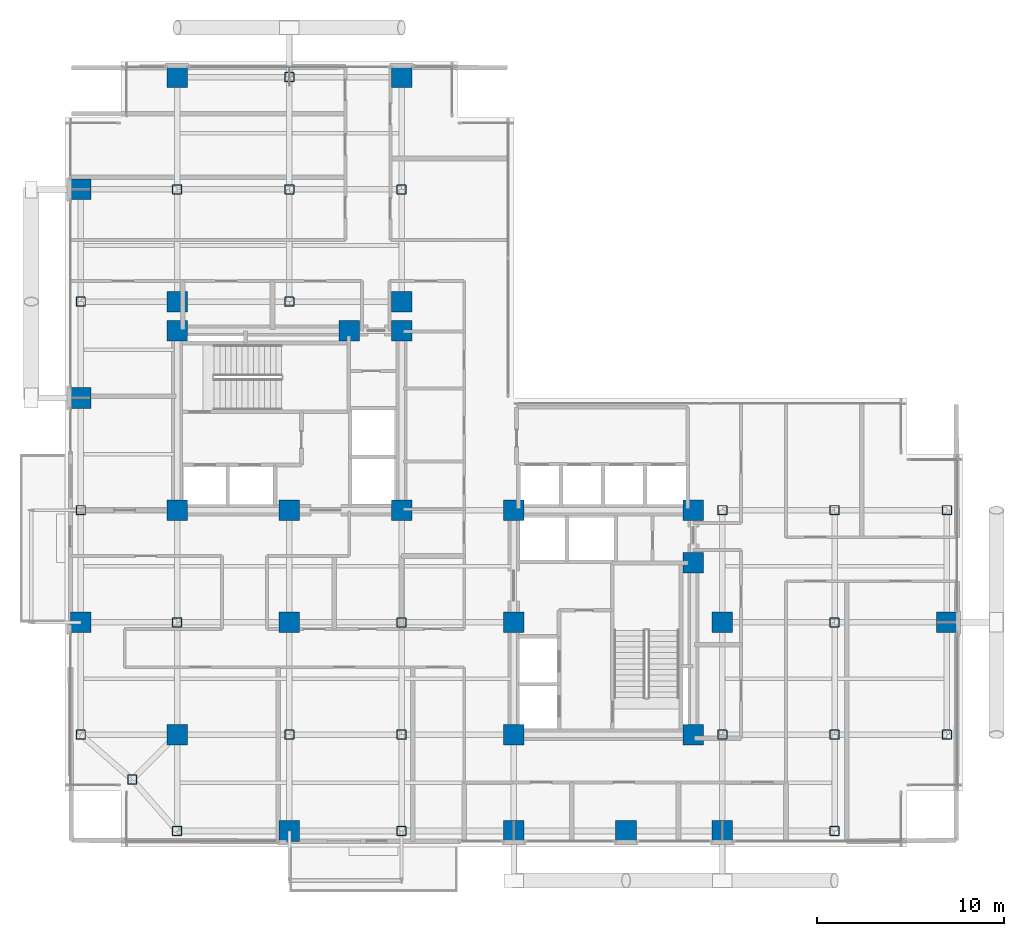
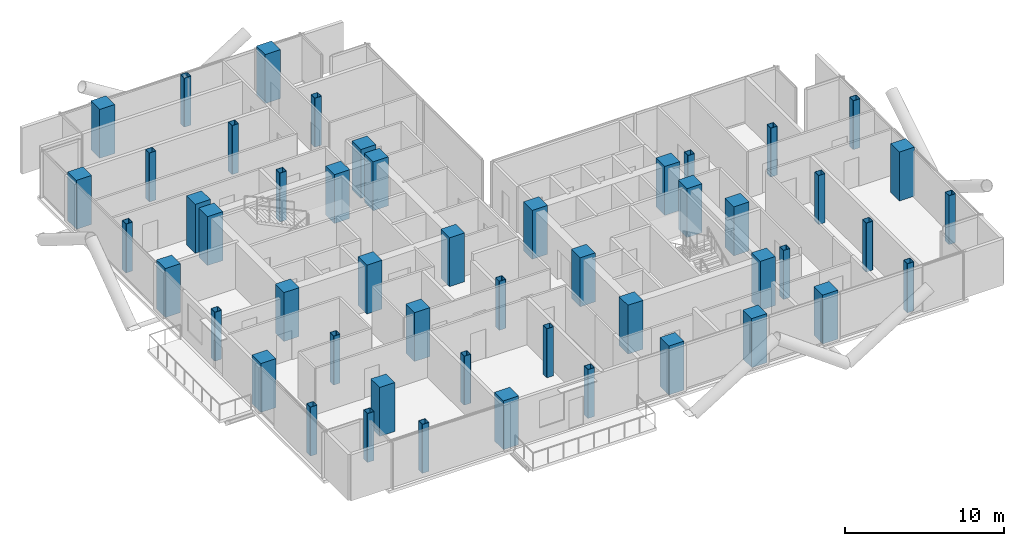
# One storey, part 1 of 24: 50 columns.
"""IFC4 building model written with IfcOpenShell, lengths in metres."""

from ifc_helpers import new_model, si_unit, direction, frame, origin, origin_2d, place, context, subcontext, project, spatial, rectangle, hollow_rectangle, extrude, material, material_profile, profile_set, type_object, element, save


model = new_model("IFC4")

# Units and contexts
model_context = context("Model", 3, precision=1e-05, world=origin(), true_north=direction((0.0, 1.0)))
body_context = subcontext(model_context, "Body", "Model", "MODEL_VIEW")
ifc_project = project(units=[si_unit("LENGTHUNIT", "METRE"), si_unit("AREAUNIT", "SQUARE_METRE"), si_unit("VOLUMEUNIT", "CUBIC_METRE"), si_unit("PLANEANGLEUNIT", "RADIAN"), si_unit("MASSUNIT", "GRAM", prefix="KILO"), si_unit("THERMODYNAMICTEMPERATUREUNIT", "KELVIN"), si_unit("POWERUNIT", "WATT")], contexts=[model_context])

# Site, building, storey
site_placement = place(None, origin())
site = spatial("IfcSite", under=ifc_project, at=site_placement, CompositionType="ELEMENT")
building_placement = place(site_placement, origin())
building = spatial("IfcBuilding", under=site, at=building_placement, Name="Svarakhadi Broadcast Tower", CompositionType="ELEMENT")
storey_placement = place(building_placement, frame((0.0, 0.0, 130.64990234375)))
storey = spatial("IfcBuildingStorey", under=building, at=storey_placement, Name="L31", CompositionType="ELEMENT", Elevation=130.64990234375)

# Columns
ifc_material_1 = material(Name="Concrete C50/60 (IS 456 M60)", Category="concrete")
ifc_material_profile_1 = material_profile(ifc_material_1, rectangle(XDim=1.10009765625, YDim=1.10009765625, at=origin_2d()), Name="RC 1100x1100")
ifc_profile_set_1 = profile_set([ifc_material_profile_1], Name="Concrete C50/60 (IS 456 M60)")
column_type_1 = type_object("IfcColumnType", Name="Col_RC1100", PredefinedType="COLUMN", material=ifc_profile_set_1)
for number, where, z_axis, x_axis, name in (
    (1, (6.0, 18.0, 0.0), (0.0, 0.0, 1.0), (1.0, 0.0, 0.0), "L31 Column CW1"),
    (2, (12.0, 18.0, 0.0), (0.0, 0.0, 1.0), (1.0, 0.0, 0.0), "L31 Column CW2"),
    (3, (18.0, 18.0, 0.0), (0.0, 0.0, 1.0), (1.0, 0.0, 0.0), "L31 Column CW3"),
    (4, (6.0, 27.60009765625, 0.0), (0.0, 0.0, 1.0), (1.0, 0.0, 0.0), "L31 Column CW4"),
    (5, (15.199951171875, 27.60009765625, 0.0), (0.0, 0.0, 1.0), (1.0, 0.0, 0.0), "L31 Column CW5"),
    (6, (18.0, 27.60009765625, 0.0), (0.0, 0.0, 1.0), (1.0, 0.0, 0.0), "L31 Column CW6"),
    (7, (24.0, 6.0, 0.0), (0.0, 0.0, 1.0), (1.0, 0.0, 0.0), "L31 Column CE1"),
    (8, (24.0, 12.0, 0.0), (0.0, 0.0, 1.0), (1.0, 0.0, 0.0), "L31 Column CE2"),
    (9, (24.0, 18.0, 0.0), (0.0, 0.0, 1.0), (1.0, 0.0, 0.0), "L31 Column CE3"),
    (10, (33.60009765625, 6.0, 0.0), (0.0, 0.0, 1.0), (1.0, 0.0, 0.0), "L31 Column CE4"),
    (11, (33.60009765625, 15.199951171875, 0.0), (0.0, 0.0, 1.0), (1.0, 0.0, 0.0), "L31 Column CE5"),
    (12, (33.60009765625, 18.0, 0.0), (0.0, 0.0, 1.0), (1.0, 0.0, 0.0), "L31 Column CE6"),
    (13, (0.85009765625, 12.0, 0.0), (0.0, 0.0, 1.0), (1.0, 0.0, 0.0), "L31 Column G04"),
    (14, (0.85009765625, 24.0, 0.0), (0.0, 0.0, 1.0), (1.0, 0.0, 0.0), "L31 Column G06"),
    (15, (0.85009765625, 35.14990234375, 0.0), (0.0, 0.0, 1.0), (1.0, 0.0, 0.0), "L31 Column G08"),
    (16, (6.0, 6.0, 0.0), (0.0, 0.0, 1.0), (1.0, 0.0, 0.0), "L31 Column G12"),
    (17, (6.0, 29.14990234375, 0.0), (0.0, 0.0, 1.0), (1.0, 0.0, 0.0), "L31 Column G14"),
    (18, (6.0, 41.14990234375, 0.0), (0.0, 0.0, 1.0), (1.0, 0.0, 0.0), "L31 Column G16"),
    (19, (12.0, 0.85009765625, 0.0), (0.0, 0.0, 1.0), (1.0, 0.0, 0.0), "L31 Column G18"),
    (20, (12.0, 12.0, 0.0), (0.0, 0.0, 1.0), (1.0, 0.0, 0.0), "L31 Column G20"),
    (21, (18.0, 29.14990234375, 0.0), (0.0, 0.0, 1.0), (1.0, 0.0, 0.0), "L31 Column G28"),
    (22, (18.0, 41.14990234375, 0.0), (0.0, 0.0, 1.0), (1.0, 0.0, 0.0), "L31 Column G30"),
    (23, (24.0, 0.85009765625, 0.0), (0.0, 0.0, 1.0), (1.0, 0.0, 0.0), "L31 Column G32"),
    (24, (30.0, 0.85009765625, 0.0), (0.0, 0.0, 1.0), (1.0, 0.0, 0.0), "L31 Column G36"),
    (25, (35.14990234375, 0.85009765625, 0.0), (0.0, 0.0, 1.0), (1.0, 0.0, 0.0), "L31 Column G38"),
    (26, (35.14990234375, 12.0, 0.0), (0.0, 0.0, 1.0), (1.0, 0.0, 0.0), "L31 Column G40"),
    (27, (47.14990234375, 12.0, 0.0), (0.0, 0.0, 1.0), (1.0, 0.0, 0.0), "L31 Column G52"),
):
    element("IfcColumn", number, at=place(storey_placement, frame(where, z_axis=z_axis, x_axis=x_axis)), inside=storey, type_object=column_type_1, Name=name, PredefinedType="COLUMN", context=body_context, shape_type="SweptSolid", body=[
        extrude(rectangle(XDim=1.10009765625, YDim=1.10009765625, at=origin_2d()), origin(), (0.0, 0.0, 1.0), 3.75),
    ])
ifc_material_2 = material(Name="Steel S460ML (IS 2062 E450BR)", Category="steel")
ifc_material_profile_2 = material_profile(ifc_material_2, hollow_rectangle(XDim=0.5, YDim=0.5, WallThickness=0.02490234375, InnerFilletRadius=0.02490234375, OuterFilletRadius=0.0400390625, at=origin_2d()), Name="SHS 500x500x25")
ifc_profile_set_2 = profile_set([ifc_material_profile_2], Name="Steel S460ML (IS 2062 E450BR)")
column_type_2 = type_object("IfcColumnType", Name="Col_SHS500", PredefinedType="COLUMN", material=ifc_profile_set_2)
for number, where, z_axis, x_axis, name in (
    (28, (3.60009765625, 3.60009765625, 0.0), (0.0, 0.0, 1.0), (1.0, 0.0, 0.0), "L31 Column G01"),
    (29, (0.85009765625, 6.0, 0.0), (0.0, 0.0, 1.0), (1.0, 0.0, 0.0), "L31 Column G03"),
    (30, (0.85009765625, 18.0, 0.0), (0.0, 0.0, 1.0), (1.0, 0.0, 0.0), "L31 Column G05"),
    (31, (0.85009765625, 29.14990234375, 0.0), (0.0, 0.0, 1.0), (1.0, 0.0, 0.0), "L31 Column G07"),
    (32, (6.0, 0.85009765625, 0.0), (0.0, 0.0, 1.0), (1.0, 0.0, 0.0), "L31 Column G11"),
    (33, (6.0, 12.0, 0.0), (0.0, 0.0, 1.0), (1.0, 0.0, 0.0), "L31 Column G13"),
    (34, (6.0, 35.14990234375, 0.0), (0.0, 0.0, 1.0), (1.0, 0.0, 0.0), "L31 Column G15"),
    (35, (12.0, 6.0, 0.0), (0.0, 0.0, 1.0), (1.0, 0.0, 0.0), "L31 Column G19"),
    (36, (12.0, 29.14990234375, 0.0), (0.0, 0.0, 1.0), (1.0, 0.0, 0.0), "L31 Column G21"),
    (37, (12.0, 35.14990234375, 0.0), (0.0, 0.0, 1.0), (1.0, 0.0, 0.0), "L31 Column G22"),
    (38, (12.0, 41.14990234375, 0.0), (0.0, 0.0, 1.0), (1.0, 0.0, 0.0), "L31 Column G23"),
    (39, (18.0, 0.85009765625, 0.0), (0.0, 0.0, 1.0), (1.0, 0.0, 0.0), "L31 Column G25"),
    (40, (18.0, 6.0, 0.0), (0.0, 0.0, 1.0), (1.0, 0.0, 0.0), "L31 Column G26"),
    (41, (18.0, 12.0, 0.0), (0.0, 0.0, 1.0), (1.0, 0.0, 0.0), "L31 Column G27"),
    (42, (18.0, 35.14990234375, 0.0), (0.0, 0.0, 1.0), (1.0, 0.0, 0.0), "L31 Column G29"),
    (43, (35.14990234375, 6.0, 0.0), (0.0, 0.0, 1.0), (1.0, 0.0, 0.0), "L31 Column G39"),
    (44, (35.14990234375, 18.0, 0.0), (0.0, 0.0, 1.0), (1.0, 0.0, 0.0), "L31 Column G41"),
    (45, (41.14990234375, 0.85009765625, 0.0), (0.0, 0.0, 1.0), (1.0, 0.0, 0.0), "L31 Column G43"),
    (46, (41.14990234375, 6.0, 0.0), (0.0, 0.0, 1.0), (1.0, 0.0, 0.0), "L31 Column G44"),
    (47, (41.14990234375, 12.0, 0.0), (0.0, 0.0, 1.0), (1.0, 0.0, 0.0), "L31 Column G45"),
    (48, (41.14990234375, 18.0, 0.0), (0.0, 0.0, 1.0), (1.0, 0.0, 0.0), "L31 Column G46"),
    (49, (47.14990234375, 6.0, 0.0), (0.0, 0.0, 1.0), (1.0, 0.0, 0.0), "L31 Column G51"),
    (50, (47.14990234375, 18.0, 0.0), (0.0, 0.0, 1.0), (1.0, 0.0, 0.0), "L31 Column G53"),
):
    element("IfcColumn", number, at=place(storey_placement, frame(where, z_axis=z_axis, x_axis=x_axis)), inside=storey, type_object=column_type_2, Name=name, PredefinedType="COLUMN", context=body_context, shape_type="SweptSolid", body=[
        extrude(hollow_rectangle(XDim=0.5, YDim=0.5, WallThickness=0.02490234375, InnerFilletRadius=0.02490234375, OuterFilletRadius=0.0400390625, at=origin_2d()), origin(), (0.0, 0.0, 1.0), 3.75),
    ])

save(model, "model.ifc")
